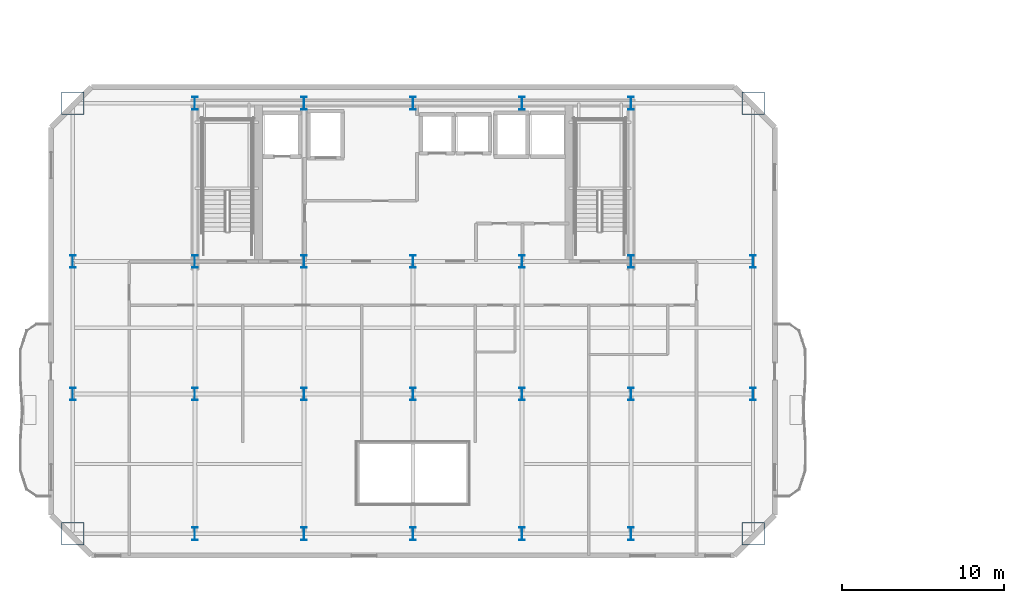
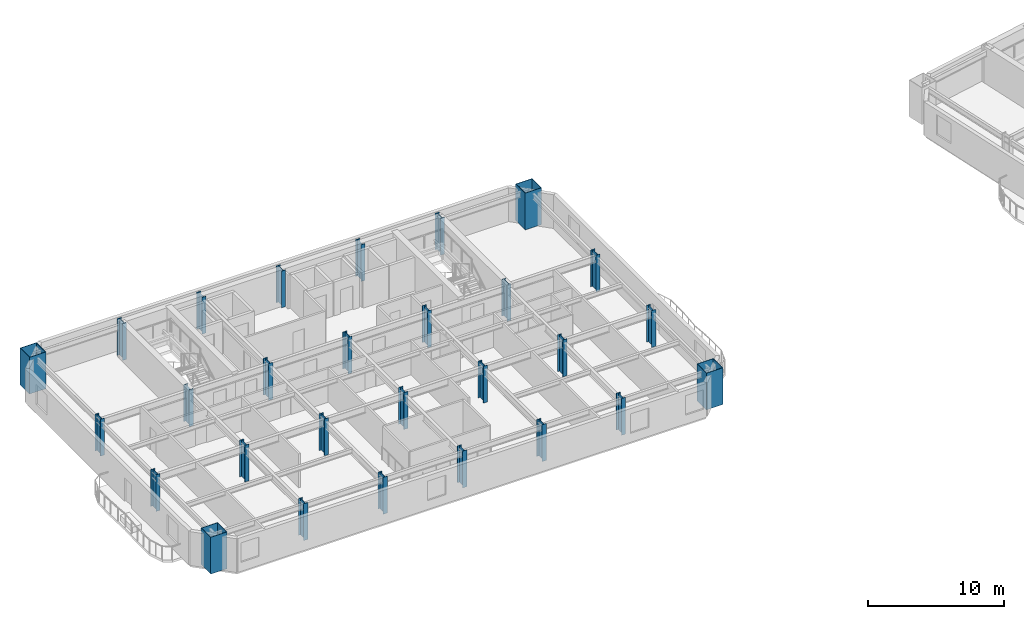
# One storey, part 1 of 13: 28 columns.
"""IFC4 building model written with IfcOpenShell, lengths in metres."""

from ifc_helpers import new_model, si_unit, direction, frame, origin, origin_2d, place, context, subcontext, project, spatial, hollow_rectangle, i_section, extrude, material, material_profile, profile_set, type_object, element, save


model = new_model("IFC4")

# Units and contexts
model_context = context("Model", 3, precision=1e-05, world=origin(), true_north=direction((0.0, 1.0)))
body_context = subcontext(model_context, "Body", "Model", "MODEL_VIEW")
ifc_project = project(units=[si_unit("LENGTHUNIT", "METRE"), si_unit("AREAUNIT", "SQUARE_METRE"), si_unit("VOLUMEUNIT", "CUBIC_METRE"), si_unit("PLANEANGLEUNIT", "RADIAN"), si_unit("MASSUNIT", "GRAM", prefix="KILO")], contexts=[model_context])

# Site, building, storey
site_placement = place(None, origin())
site = spatial("IfcSite", under=ifc_project, at=site_placement, CompositionType="ELEMENT")
building_placement = place(site_placement, origin())
building = spatial("IfcBuilding", under=site, at=building_placement, Name="Haevon Station Towers", CompositionType="ELEMENT")
storey_placement = place(building_placement, frame((0.0, 0.0, 126.300048828125)))
storey = spatial("IfcBuildingStorey", under=building, at=storey_placement, Name="L34", CompositionType="ELEMENT", Elevation=126.300048828125)

# Columns
ifc_material = material(Name="Steel S460", Category="steel")
ifc_material_profile_1 = material_profile(ifc_material, hollow_rectangle(XDim=1.39990234375, YDim=1.39990234375, WallThickness=0.035888671875, at=origin_2d()), Name="BOX-1400x1400x36")
ifc_profile_set_1 = profile_set([ifc_material_profile_1], Name="Steel S460")
column_type_1 = type_object("IfcColumnType", Name="COL-MC3", PredefinedType="COLUMN", material=ifc_profile_set_1)
for number, where, z_axis, x_axis, name in (
    (1, (16.449951171875, 21.35009765625, 0.0), (0.0, 0.0, 1.0), (1.0, 0.0, 0.0), "COL-T1-L34-01-01"),
    (2, (16.449951171875, 48.0, 0.0), (0.0, 0.0, 1.0), (1.0, 0.0, 0.0), "COL-T1-L34-01-04"),
    (3, (58.550048828125, 21.35009765625, 0.0), (0.0, 0.0, 1.0), (1.0, 0.0, 0.0), "COL-T1-L34-07-01"),
    (4, (58.550048828125, 48.0, 0.0), (0.0, 0.0, 1.0), (1.0, 0.0, 0.0), "COL-T1-L34-07-04"),
):
    element("IfcColumn", number, at=place(storey_placement, frame(where, z_axis=z_axis, x_axis=x_axis)), inside=storey, type_object=column_type_1, Name=name, PredefinedType="COLUMN", context=body_context, shape_type="SweptSolid", body=[
        extrude(hollow_rectangle(XDim=1.39990234375, YDim=1.39990234375, WallThickness=0.035888671875, at=origin_2d()), origin(), (0.0, 0.0, 1.0), 3.300048828125),
    ])
ifc_material_profile_2 = material_profile(ifc_material, i_section(OverallWidth=0.35009765625, OverallDepth=0.800048828125, WebThickness=0.01806640625, FlangeThickness=0.031982421875, at=origin_2d()), Name="H-800x350x18x32")
ifc_profile_set_2 = profile_set([ifc_material_profile_2], Name="Steel S460")
column_type_2 = type_object("IfcColumnType", Name="COL-TW2", PredefinedType="COLUMN", material=ifc_profile_set_2)
for number, where, z_axis, x_axis, name in (
    (5, (16.449951171875, 30.0, 0.0), (0.0, 0.0, 1.0), (1.0, 0.0, 0.0), "COL-T1-L34-01-02"),
    (6, (16.449951171875, 38.199951171875, 0.0), (0.0, 0.0, 1.0), (1.0, 0.0, 0.0), "COL-T1-L34-01-03"),
    (7, (24.0, 21.35009765625, 0.0), (0.0, 0.0, 1.0), (1.0, 0.0, 0.0), "COL-T1-L34-02-01"),
    (8, (24.0, 30.0, 0.0), (0.0, 0.0, 1.0), (1.0, 0.0, 0.0), "COL-T1-L34-02-02"),
    (9, (24.0, 38.199951171875, 0.0), (0.0, 0.0, 1.0), (1.0, 0.0, 0.0), "COL-T1-L34-02-03"),
    (10, (24.0, 48.0, 0.0), (0.0, 0.0, 1.0), (1.0, 0.0, 0.0), "COL-T1-L34-02-04"),
    (11, (30.75, 21.35009765625, 0.0), (0.0, 0.0, 1.0), (1.0, 0.0, 0.0), "COL-T1-L34-03-01"),
    (12, (30.75, 30.0, 0.0), (0.0, 0.0, 1.0), (1.0, 0.0, 0.0), "COL-T1-L34-03-02"),
    (13, (30.75, 38.199951171875, 0.0), (0.0, 0.0, 1.0), (1.0, 0.0, 0.0), "COL-T1-L34-03-03"),
    (14, (30.75, 48.0, 0.0), (0.0, 0.0, 1.0), (1.0, 0.0, 0.0), "COL-T1-L34-03-04"),
    (15, (37.5, 21.35009765625, 0.0), (0.0, 0.0, 1.0), (1.0, 0.0, 0.0), "COL-T1-L34-04-01"),
    (16, (37.5, 30.0, 0.0), (0.0, 0.0, 1.0), (1.0, 0.0, 0.0), "COL-T1-L34-04-02"),
    (17, (37.5, 38.199951171875, 0.0), (0.0, 0.0, 1.0), (1.0, 0.0, 0.0), "COL-T1-L34-04-03"),
    (18, (37.5, 48.0, 0.0), (0.0, 0.0, 1.0), (1.0, 0.0, 0.0), "COL-T1-L34-04-04"),
    (19, (44.25, 21.35009765625, 0.0), (0.0, 0.0, 1.0), (1.0, 0.0, 0.0), "COL-T1-L34-05-01"),
    (20, (44.25, 30.0, 0.0), (0.0, 0.0, 1.0), (1.0, 0.0, 0.0), "COL-T1-L34-05-02"),
    (21, (44.25, 38.199951171875, 0.0), (0.0, 0.0, 1.0), (1.0, 0.0, 0.0), "COL-T1-L34-05-03"),
    (22, (44.25, 48.0, 0.0), (0.0, 0.0, 1.0), (1.0, 0.0, 0.0), "COL-T1-L34-05-04"),
    (23, (51.0, 21.35009765625, 0.0), (0.0, 0.0, 1.0), (1.0, 0.0, 0.0), "COL-T1-L34-06-01"),
    (24, (51.0, 30.0, 0.0), (0.0, 0.0, 1.0), (1.0, 0.0, 0.0), "COL-T1-L34-06-02"),
    (25, (51.0, 38.199951171875, 0.0), (0.0, 0.0, 1.0), (1.0, 0.0, 0.0), "COL-T1-L34-06-03"),
    (26, (51.0, 48.0, 0.0), (0.0, 0.0, 1.0), (1.0, 0.0, 0.0), "COL-T1-L34-06-04"),
    (27, (58.550048828125, 30.0, 0.0), (0.0, 0.0, 1.0), (1.0, 0.0, 0.0), "COL-T1-L34-07-02"),
    (28, (58.550048828125, 38.199951171875, 0.0), (0.0, 0.0, 1.0), (1.0, 0.0, 0.0), "COL-T1-L34-07-03"),
):
    element("IfcColumn", number, at=place(storey_placement, frame(where, z_axis=z_axis, x_axis=x_axis)), inside=storey, type_object=column_type_2, Name=name, PredefinedType="COLUMN", context=body_context, shape_type="SweptSolid", body=[
        extrude(i_section(OverallWidth=0.35009765625, OverallDepth=0.800048828125, WebThickness=0.01806640625, FlangeThickness=0.031982421875, at=origin_2d()), origin(), (0.0, 0.0, 1.0), 3.300048828125),
    ])

save(model, "model.ifc")
